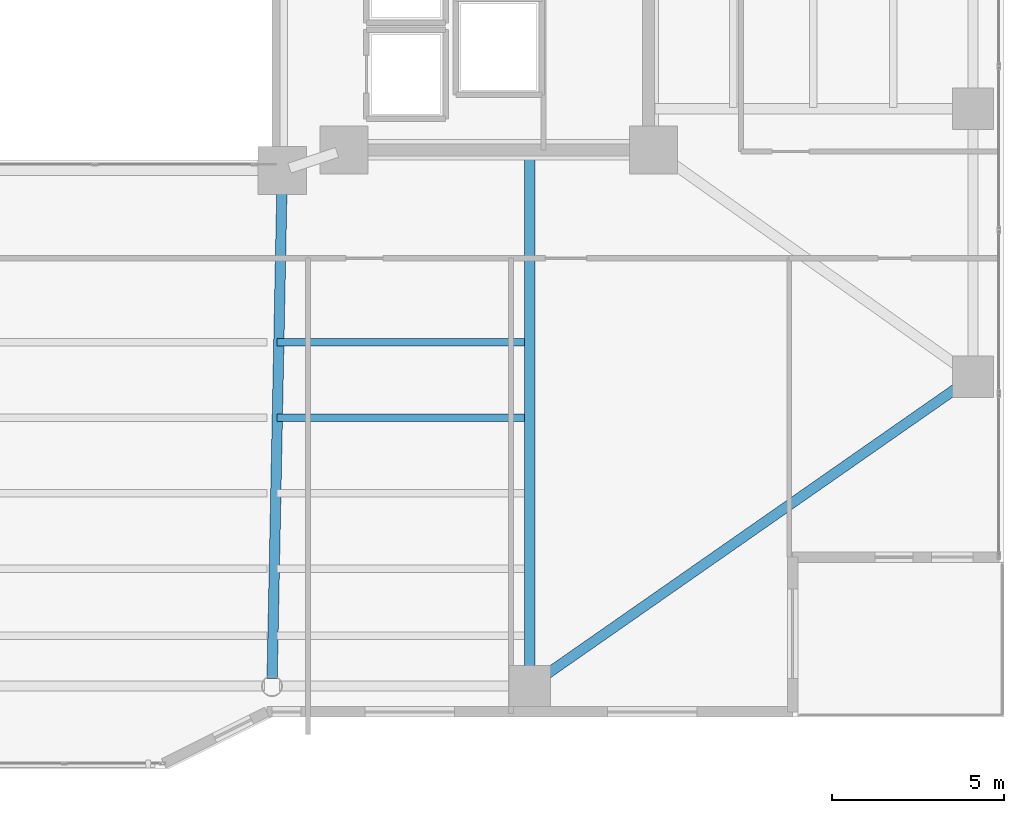
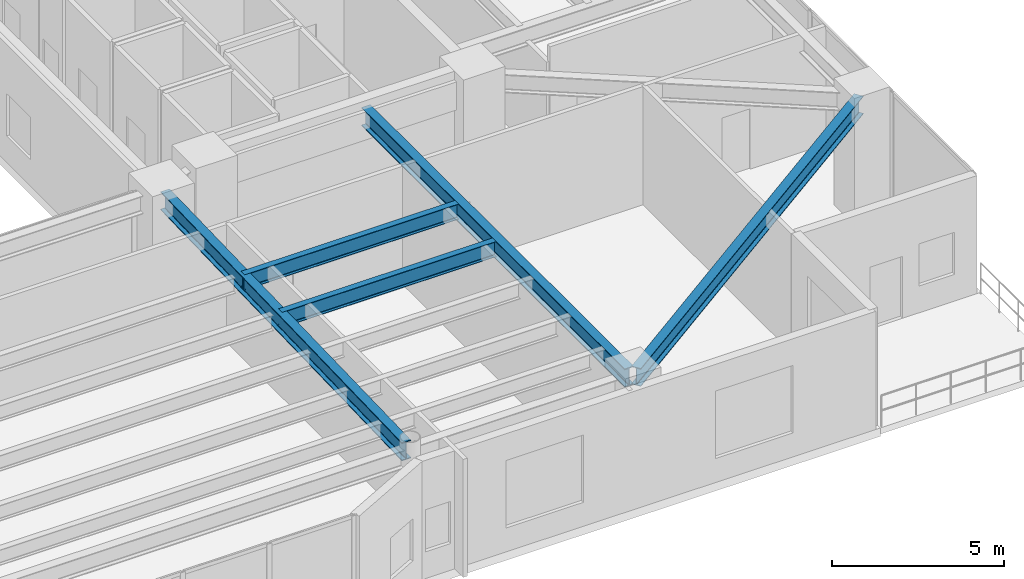
# One storey, part 12 of 39: 5 beams.
"""IFC4 building model written with IfcOpenShell, lengths in metres."""

from ifc_helpers import new_model, si_unit, direction, frame, origin, origin_2d, place, context, subcontext, project, spatial, i_section, extrude, material, material_profile, profile_set, type_object, element, save


model = new_model("IFC4")

# Units and contexts
model_context = context("Model", 3, precision=1e-05, world=origin(), true_north=direction((0.0, 1.0)))
body_context = subcontext(model_context, "Body", "Model", "MODEL_VIEW")
ifc_project = project(units=[si_unit("LENGTHUNIT", "METRE"), si_unit("AREAUNIT", "SQUARE_METRE"), si_unit("VOLUMEUNIT", "CUBIC_METRE"), si_unit("PLANEANGLEUNIT", "RADIAN"), si_unit("MASSUNIT", "GRAM", prefix="KILO")], contexts=[model_context])

# Site, building, storey
site_placement = place(None, origin())
site = spatial("IfcSite", under=ifc_project, at=site_placement, CompositionType="ELEMENT")
building_placement = place(site_placement, origin())
building = spatial("IfcBuilding", under=site, at=building_placement, Name="Tarnavaz Court Tower", CompositionType="ELEMENT")
storey_placement = place(building_placement, frame((0.0, 0.0, 68.699951171875)))
storey = spatial("IfcBuildingStorey", under=building, at=storey_placement, Name="L18", CompositionType="ELEMENT", Elevation=68.699951171875)

# Beams
ifc_material = material(Name="Steel S355", Category="steel")
ifc_material_profile_1 = material_profile(ifc_material, i_section(OverallWidth=0.300048828125, OverallDepth=0.64990234375, WebThickness=0.01611328125, FlangeThickness=0.031005859375, FilletRadius=0.027099609375, at=origin_2d()), Name="HEB 650")
ifc_profile_set_1 = profile_set([ifc_material_profile_1], Name="Steel S355")
beam_type_1 = type_object("IfcBeamType", Name="BM-G-HEB650", PredefinedType="USERDEFINED", material=ifc_profile_set_1)
beam_1_placement = place(storey_placement, frame((7.795654296875, -8.02001953125, 3.875), z_axis=(-0.020000023066, -0.999799979535, 0.0), x_axis=(0.999799979535, -0.020000023066, 0.0)))
element("IfcBeam", 1, at=beam_1_placement, inside=storey, type_object=beam_type_1, Name="L18 Beam RG-07", ObjectType="GIRDER", PredefinedType="USERDEFINED", context=body_context, shape_type="SweptSolid", body=[
    extrude(i_section(OverallWidth=0.300048828125, OverallDepth=0.64990234375, WebThickness=0.01611328125, FlangeThickness=0.031005859375, FilletRadius=0.027099609375, at=origin_2d()), origin(), (0.0, 0.0, 1.0), 14.56298828125),
])
beam_2_placement = place(storey_placement, frame((15.0, -7.239990234375, 3.875), z_axis=(0.0, -1.0, 0.0), x_axis=(1.0, 0.0, 0.0)))
element("IfcBeam", 2, at=beam_2_placement, inside=storey, type_object=beam_type_1, Name="L18 Beam RG-08", ObjectType="GIRDER", PredefinedType="USERDEFINED", context=body_context, shape_type="SweptSolid", body=[
    extrude(i_section(OverallWidth=0.300048828125, OverallDepth=0.64990234375, WebThickness=0.01611328125, FlangeThickness=0.031005859375, FilletRadius=0.027099609375, at=origin_2d()), origin(), (0.0, 0.0, 1.0), 15.340087890625),
])
ifc_material_profile_2 = material_profile(ifc_material, i_section(OverallWidth=0.2099609375, OverallDepth=0.550048828125, WebThickness=0.010986328125, FlangeThickness=0.01708984375, FilletRadius=0.02392578125, at=origin_2d()), Name="IPE 550")
ifc_profile_set_2 = profile_set([ifc_material_profile_2], Name="Steel S355")
beam_type_2 = type_object("IfcBeamType", Name="BM-J-IPE550", PredefinedType="JOIST", material=ifc_profile_set_2)
for number, where, z_axis, x_axis, name in (
    (3, (7.64990234375, -12.7958984375, 3.925048828125), (1.0, 0.0, 0.0), (0.0, 1.0, 0.0), "L18 Beam JS1-3"),
    (4, (7.64990234375, -14.991943359375, 3.925048828125), (1.0, 0.0, 0.0), (0.0, 1.0, 0.0), "L18 Beam JS2-3"),
):
    element("IfcBeam", number, at=place(storey_placement, frame(where, z_axis=z_axis, x_axis=x_axis)), inside=storey, type_object=beam_type_2, Name=name, PredefinedType="JOIST", context=body_context, shape_type="SweptSolid", body=[
        extrude(i_section(OverallWidth=0.2099609375, OverallDepth=0.550048828125, WebThickness=0.010986328125, FlangeThickness=0.01708984375, FilletRadius=0.02392578125, at=origin_2d()), origin(), (0.0, 0.0, 1.0), 7.2001953125),
    ])
ifc_material_profile_3 = material_profile(ifc_material, i_section(OverallWidth=0.300048828125, OverallDepth=0.639892578125, WebThickness=0.013427734375, FlangeThickness=0.02587890625, FilletRadius=0.027099609375, at=origin_2d()), Name="HEA 650")
ifc_profile_set_3 = profile_set([ifc_material_profile_3], Name="Steel S355")
beam_type_3 = type_object("IfcBeamType", Name="BM-SP-HEA650", PredefinedType="SPANDREL", material=ifc_profile_set_3)
beam_3_placement = place(storey_placement, frame((27.719482421875, -13.92578125, 3.880126953125), z_axis=(-0.820123643324, -0.572186341729, 0.0), x_axis=(0.572186341729, -0.820123643324, 0.0)))
element("IfcBeam", 5, at=beam_3_placement, inside=storey, type_object=beam_type_3, Name="L18 Beam PR-PE-1-PS-4", PredefinedType="SPANDREL", context=body_context, shape_type="SweptSolid", body=[
    extrude(i_section(OverallWidth=0.300048828125, OverallDepth=0.639892578125, WebThickness=0.013427734375, FlangeThickness=0.02587890625, FilletRadius=0.027099609375, at=origin_2d()), origin(), (0.0, 0.0, 1.0), 15.289306640625),
])

save(model, "model.ifc")
